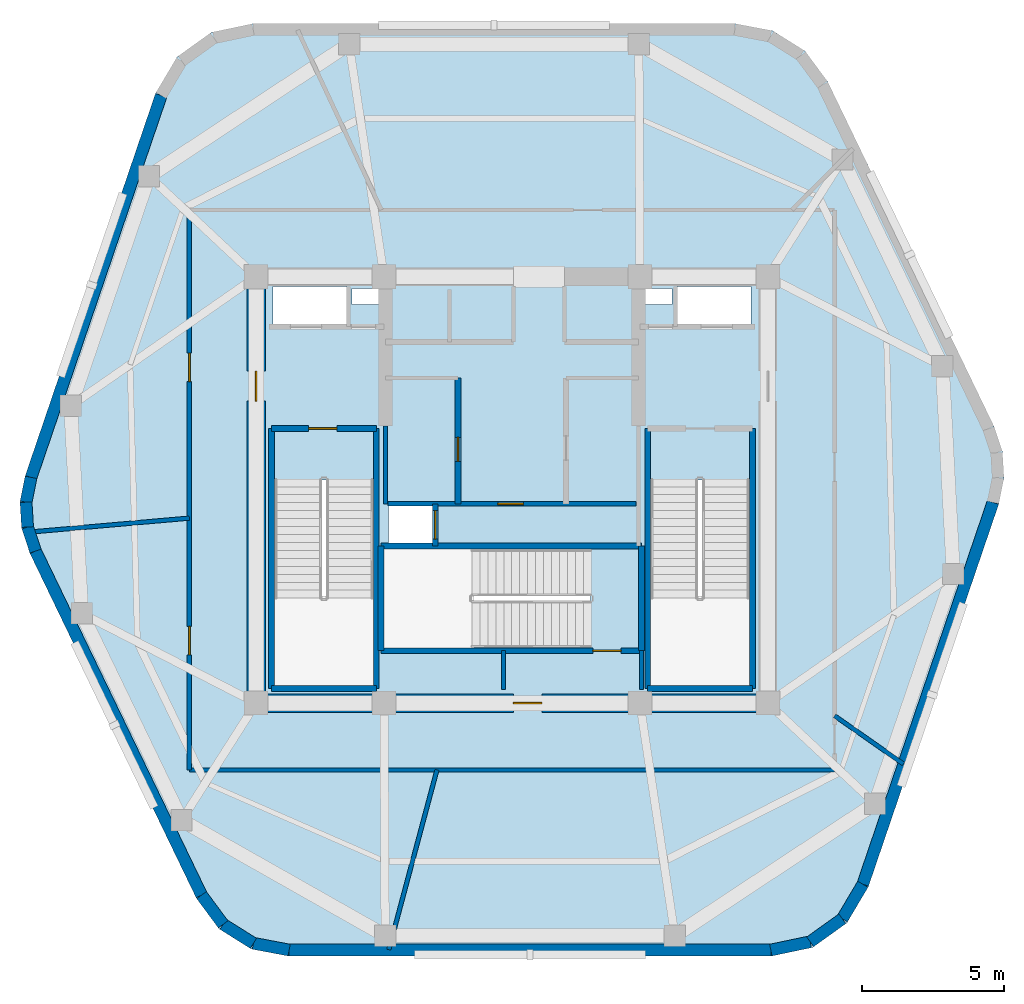
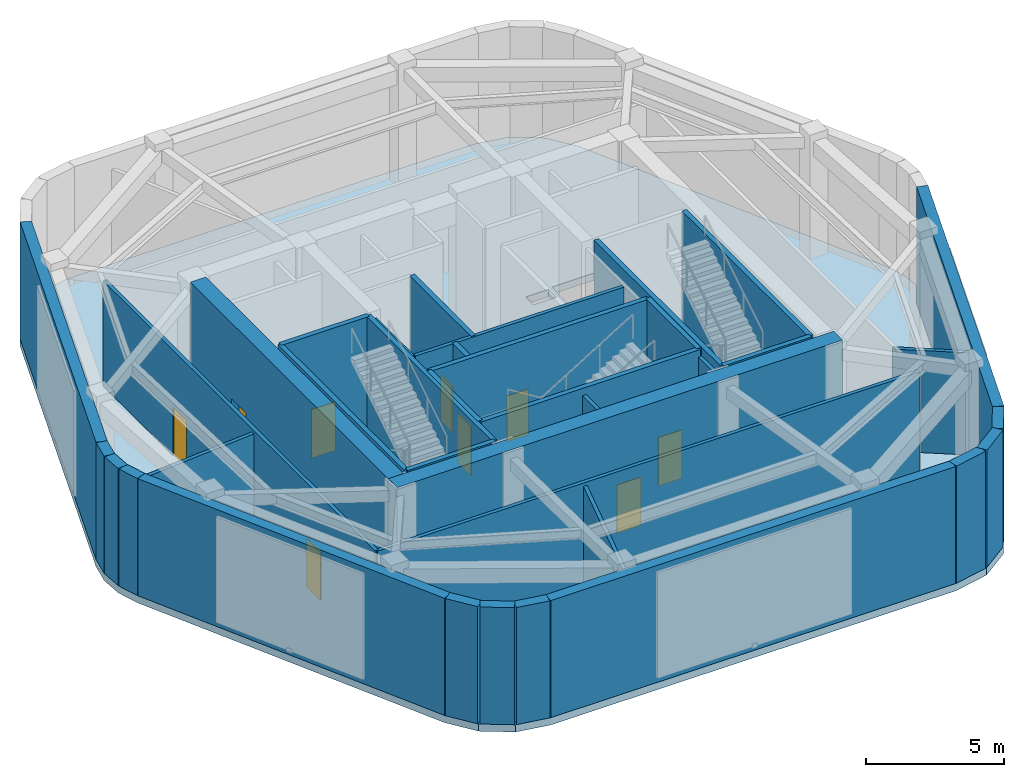
# One storey, part 2 of 6: 37 walls, 9 doors, 1 slab, 9 openings.
"""IFC4 building model written with IfcOpenShell, lengths in metres."""

from ifc_helpers import new_model, si_unit, direction, frame, frame_2d, origin, place, context, subcontext, project, spatial, polyline, rectangle, outline, extrude, material, layer, layer_set, type_object, element, fill, save


model = new_model("IFC4")

# Units and contexts
model_context = context("Model", 3, precision=1e-05, world=origin(), true_north=direction((0.0, 1.0)))
body_context = subcontext(model_context, "Body", "Model", "MODEL_VIEW")
ifc_project = project(units=[si_unit("LENGTHUNIT", "METRE"), si_unit("AREAUNIT", "SQUARE_METRE"), si_unit("VOLUMEUNIT", "CUBIC_METRE"), si_unit("PLANEANGLEUNIT", "RADIAN"), si_unit("MASSUNIT", "GRAM", prefix="KILO")], contexts=[model_context])

# Site, building, storey
site_placement = place(None, origin())
site = spatial("IfcSite", under=ifc_project, at=site_placement, CompositionType="ELEMENT")
building_placement = place(site_placement, origin())
building = spatial("IfcBuilding", under=site, at=building_placement, Name="Kilnhurst Terrace Hotel", CompositionType="ELEMENT")
storey_placement = place(building_placement, frame((0.0, 0.0, 310.39990234375)))
storey = spatial("IfcBuildingStorey", under=building, at=storey_placement, Name="L77", CompositionType="ELEMENT", Elevation=310.39990234375)

# Slab
ifc_material_1 = material(Name="Concrete C50/60", Category="concrete")
ifc_layer_1 = layer(ifc_material_1, 0.320068359375, Name="Concrete C50/60")
ifc_layer_set_1 = layer_set([ifc_layer_1], Name="Concrete C50/60")
slab_type = type_object("IfcSlabType", Name="SLB-FLR-320", PredefinedType="FLOOR", material=ifc_layer_set_1)
slab_placement = place(storey_placement, frame((0.0, 0.0, -0.31982421875)))
element("IfcSlab", 1, at=slab_placement, inside=storey, type_object=slab_type, Name="L77 Structural Floor Slab", PredefinedType="FLOOR", context=body_context, shape_type="SweptSolid", body=[
    extrude(outline(polyline([(-11.102294921875, -14.36474609375), (-10.30712890625, -15.4404296875), (-9.17431640625, -16.151611328125), (-7.860107421875, -16.39990234375), (9.12744140625, -16.39990234375), (10.576171875, -16.095703125), (11.77978515625, -15.234130859375), (12.53515625, -13.961181640625), (17.1240234375, -0.494873046875), (17.307861328125, 0.41796875), (17.25146484375, 1.34716796875), (16.95849609375, 2.231201171875), (11.102294921875, 14.36474609375), (10.30712890625, 15.4404296875), (9.17431640625, 16.151611328125), (7.860107421875, 16.39990234375), (-9.12744140625, 16.39990234375), (-10.576171875, 16.095703125), (-11.77978515625, 15.234130859375), (-12.53515625, 13.961181640625), (-17.1240234375, 0.494873046875), (-17.307861328125, -0.41796875), (-17.25146484375, -1.34716796875), (-16.95849609375, -2.231201171875), (-11.102294921875, -14.36474609375)]), holes=[polyline([(2.7548828125, -2.080078125), (2.7548828125, -5.550048828125), (-4.5, -5.550048828125), (-4.5, -2.080078125), (2.7548828125, -2.080078125)]), polyline([(-8.35009765625, 0.35498046875), (-4.8798828125, 0.35498046875), (-4.8798828125, -6.89990234375), (-8.35009765625, -6.89990234375), (-8.35009765625, 0.35498046875)]), polyline([(4.8798828125, 0.35498046875), (8.35009765625, 0.35498046875), (8.35009765625, -6.89990234375), (4.8798828125, -6.89990234375), (4.8798828125, 0.35498046875)]), polyline([(-2.800048828125, -1.89990234375), (-4.35009765625, -1.89990234375), (-4.35009765625, -0.550048828125), (-2.800048828125, -0.550048828125), (-2.800048828125, -1.89990234375)]), polyline([(-5.800048828125, 5.75), (-8.39990234375, 5.75), (-8.39990234375, 7.14990234375), (-5.800048828125, 7.14990234375), (-5.800048828125, 5.75)]), polyline([(8.39990234375, 5.75), (5.800048828125, 5.75), (5.800048828125, 7.14990234375), (8.39990234375, 7.14990234375), (8.39990234375, 5.75)]), polyline([(-4.659912109375, 6.52001953125), (-5.6201171875, 6.52001953125), (-5.6201171875, 7.080078125), (-4.659912109375, 7.080078125), (-4.659912109375, 6.52001953125)]), polyline([(5.6201171875, 6.52001953125), (4.659912109375, 6.52001953125), (4.659912109375, 7.080078125), (5.6201171875, 7.080078125), (5.6201171875, 6.52001953125)])]), origin(), (0.0, 0.0, 1.0), 0.31982421875),
])

# Wall, openings, doors
ifc_material_2 = material(Name="Acoustic Double-Gypsum Corridor Partition Assembly")
ifc_layer_2 = layer(ifc_material_2, 0.14990234375, Name="Acoustic Double-Gypsum Corridor Partition Assembly")
ifc_layer_set_2 = layer_set([ifc_layer_2], Name="Acoustic Double-Gypsum Corridor Partition Assembly")
wall_type_1 = type_object("IfcWallType", Name="WL-COR-150", PredefinedType="PARTITIONING", material=ifc_layer_set_2)
wall_1_placement = place(storey_placement, frame((-11.35009765625, -9.85009765625, 0.0), z_axis=(0.0, 0.0, 1.0), x_axis=(0.0, 1.0, 0.0)))
wall_1 = element("IfcWall", 2, at=wall_1_placement, inside=storey, type_object=wall_type_1, Name="L77 Interior Wall WL-L77-COR-01", PredefinedType="PARTITIONING", context=body_context, shape_type="SweptSolid", body=[
    extrude(rectangle(XDim=19.7001953125, YDim=0.14990234375, at=frame_2d((9.85009765625, 0.0))), origin(), (0.0, 0.0, 1.0), 4.670166015625),
])
opening_1_placement = place(wall_1_placement, frame((13.657958984375, 0.0, 0.0)))
opening_1 = element("IfcOpeningElement", 3, at=opening_1_placement, cuts=wall_1, Name="Opening D-90B", PredefinedType="OPENING", context=body_context, shape_type="SweptSolid", body=[
    extrude(rectangle(XDim=1.0, YDim=2.14990234375, at=frame_2d((0.5, 1.074951171875))), frame((0.0, 0.0849609375, 0.0), z_axis=(0.0, -1.0, 0.0), x_axis=(1.0, 0.0, 0.0)), (0.0, 0.0, 1.0), 0.169921875),
])
opening_2_placement = place(wall_1_placement, frame((4.048095703125, 0.0, 0.0)))
opening_2 = element("IfcOpeningElement", 4, at=opening_2_placement, cuts=wall_1, Name="Opening D-90B", PredefinedType="OPENING", context=body_context, shape_type="SweptSolid", body=[
    extrude(rectangle(XDim=1.0, YDim=2.14990234375, at=frame_2d((0.5, 1.074951171875))), frame((0.0, 0.0849609375, 0.0), z_axis=(0.0, -1.0, 0.0), x_axis=(1.0, 0.0, 0.0)), (0.0, 0.0, 1.0), 0.169921875),
])
ifc_material_3 = material(Name="Painted Hollow Metal Steel ASTM A36 Fire Door", Category="steel")
door_type_1 = type_object("IfcDoorType", Name="DR-FD90-1000", OperationType="NOTDEFINED", PredefinedType="DOOR", material=ifc_material_3)
door_1_placement = place(opening_1_placement, origin())
door_1 = element("IfcDoor", 5, at=door_1_placement, inside=storey, type_object=door_type_1, Name="L77 Air Handling and Smoke Control Mechanical Room Door", OperationType="SINGLE_SWING_RIGHT", OverallHeight=2.14990234375, OverallWidth=1.0, PredefinedType="DOOR", context=body_context, shape_type="SweptSolid", body=[
    extrude(rectangle(XDim=1.0, YDim=2.14990234375, at=frame_2d((0.5, 1.074951171875))), frame((0.0, 0.02490234375, 0.0), z_axis=(0.0, -1.0, 0.0), x_axis=(1.0, 0.0, 0.0)), (0.0, 0.0, 1.0), 0.050048828125),
])
fill(opening_1, door_1)
door_2_placement = place(opening_2_placement, origin())
door_2 = element("IfcDoor", 6, at=door_2_placement, inside=storey, type_object=door_type_1, Name="L77 Domestic Water Booster and Fire Pump Room Door", OperationType="SINGLE_SWING_LEFT", OverallHeight=2.14990234375, OverallWidth=1.0, PredefinedType="DOOR", context=body_context, shape_type="SweptSolid", body=[
    extrude(rectangle(XDim=1.0, YDim=2.14990234375, at=frame_2d((0.5, 1.074951171875))), frame((0.0, 0.02490234375, 0.0), z_axis=(0.0, -1.0, 0.0), x_axis=(1.0, 0.0, 0.0)), (0.0, 0.0, 1.0), 0.050048828125),
])
fill(opening_2, door_2)

# Walls
wall_2_placement = place(storey_placement, frame((11.35009765625, -9.85009765625, 0.0), z_axis=(0.0, 0.0, 1.0), x_axis=(-1.0, 0.0, 0.0)))
element("IfcWall", 7, at=wall_2_placement, inside=storey, type_object=wall_type_1, Name="L77 Interior Wall WL-L77-COR-04", PredefinedType="PARTITIONING", context=body_context, shape_type="SweptSolid", body=[
    extrude(rectangle(XDim=22.7001953125, YDim=0.14990234375, at=frame_2d((11.35009765625, 0.0))), origin(), (0.0, 0.0, 1.0), 4.670166015625),
])
wall_3_placement = place(storey_placement, frame((-11.35009765625, -0.992919921875, 0.0), z_axis=(0.0, 0.0, 1.0), x_axis=(-0.996191883408, -0.087187908746, 0.0)))
element("IfcWall", 8, at=wall_3_placement, inside=storey, type_object=wall_type_1, Name="L77 Interior Wall WL-L77-PDIV-3-1", PredefinedType="PARTITIONING", context=body_context, shape_type="SweptSolid", body=[
    extrude(rectangle(XDim=5.4912109375, YDim=0.14990234375, at=frame_2d((2.74560546875, 0.0))), origin(), (0.0, 0.0, 1.0), 4.52001953125),
])
wall_4_placement = place(storey_placement, frame((-2.639404296875, -9.85009765625, 0.0), z_axis=(0.0, 0.0, 1.0), x_axis=(-0.258792616312, -0.965932907475, 0.0)))
element("IfcWall", 9, at=wall_4_placement, inside=storey, type_object=wall_type_1, Name="L77 Interior Wall WL-L77-PDIV-4-1", PredefinedType="PARTITIONING", context=body_context, shape_type="SweptSolid", body=[
    extrude(rectangle(XDim=6.548095703125, YDim=0.14990234375, at=frame_2d((3.27392578125, 0.0))), origin(), (0.0, 0.0, 1.0), 4.52001953125),
])
wall_5_placement = place(storey_placement, frame((11.35009765625, -7.947509765625, 0.0), z_axis=(0.0, 0.0, 1.0), x_axis=(0.819127049933, -0.573612130335, 0.0)))
element("IfcWall", 10, at=wall_5_placement, inside=storey, type_object=wall_type_1, Name="L77 Interior Wall WL-L77-PDIV-5-1", PredefinedType="PARTITIONING", context=body_context, shape_type="SweptSolid", body=[
    extrude(rectangle(XDim=2.953369140625, YDim=0.14990234375, at=frame_2d((1.4765625, 0.0))), origin(), (0.0, 0.0, 1.0), 4.52001953125),
])

# Wall, opening, door
ifc_material_4 = material(Name="Concrete C60/75", Category="concrete")
ifc_layer_3 = layer(ifc_material_4, 0.64990234375, Name="Concrete C60/75")
ifc_layer_set_3 = layer_set([ifc_layer_3], Name="Concrete C60/75")
wall_type_2 = type_object("IfcWallType", Name="WL-CORE-650", PredefinedType="SHEAR", material=ifc_layer_set_3)
wall_6_placement = place(storey_placement, frame((-9.324951171875, -7.5, 0.0), z_axis=(0.0, 0.0, 1.0), x_axis=(1.0, 0.0, 0.0)))
wall_6 = element("IfcWall", 11, at=wall_6_placement, inside=storey, type_object=wall_type_2, Name="L77 Core South Shear Wall", PredefinedType="SHEAR", context=body_context, shape_type="SweptSolid", body=[
    extrude(rectangle(XDim=18.64990234375, YDim=0.64990234375, at=frame_2d((9.324951171875, 0.0))), origin(), (0.0, 0.0, 1.0), 5.5),
])
opening_3_placement = place(wall_6_placement, frame((9.375, 0.0, 0.0)))
opening_3 = element("IfcOpeningElement", 12, at=opening_3_placement, cuts=wall_6, Name="Opening D-90B", PredefinedType="OPENING", context=body_context, shape_type="SweptSolid", body=[
    extrude(rectangle(XDim=1.0, YDim=2.14990234375, at=frame_2d((0.5, 1.074951171875))), frame((0.0, 0.3349609375, 0.0), z_axis=(0.0, -1.0, 0.0), x_axis=(1.0, 0.0, 0.0)), (0.0, 0.0, 1.0), 0.669921875),
])
door_3_placement = place(opening_3_placement, origin())
door_3 = element("IfcDoor", 13, at=door_3_placement, inside=storey, type_object=door_type_1, Name="L77 Stair ST-3 Corridor Door", OperationType="SINGLE_SWING_RIGHT", OverallHeight=2.14990234375, OverallWidth=1.0, PredefinedType="DOOR", context=body_context, shape_type="SweptSolid", body=[
    extrude(rectangle(XDim=1.0, YDim=2.14990234375, at=frame_2d((0.5, 1.074951171875))), frame((0.0, 0.02490234375, 0.0), z_axis=(0.0, -1.0, 0.0), x_axis=(1.0, 0.0, 0.0)), (0.0, 0.0, 1.0), 0.050048828125),
])
fill(opening_3, door_3)

wall_7_placement = place(storey_placement, frame((-9.0, -7.175048828125, 0.0), z_axis=(0.0, 0.0, 1.0), x_axis=(0.0, 1.0, 0.0)))
wall_7 = element("IfcWall", 14, at=wall_7_placement, inside=storey, type_object=wall_type_2, Name="L77 Core West Shear Wall", PredefinedType="SHEAR", context=body_context, shape_type="SweptSolid", body=[
    extrude(rectangle(XDim=14.35009765625, YDim=0.64990234375, at=frame_2d((7.175048828125, 0.0))), origin(), (0.0, 0.0, 1.0), 5.5),
])
opening_4_placement = place(wall_7_placement, frame((10.300048828125, 0.0, 0.0)))
opening_4 = element("IfcOpeningElement", 15, at=opening_4_placement, cuts=wall_7, Name="Opening D-90A", PredefinedType="OPENING", context=body_context, shape_type="SweptSolid", body=[
    extrude(rectangle(XDim=1.050048828125, YDim=2.14990234375, at=frame_2d((0.52490234375, 1.074951171875))), frame((0.0, 0.3349609375, 0.0), z_axis=(0.0, -1.0, 0.0), x_axis=(1.0, 0.0, 0.0)), (0.0, 0.0, 1.0), 0.669921875),
])
door_type_2 = type_object("IfcDoorType", Name="DR-FD90-1050", OperationType="NOTDEFINED", PredefinedType="DOOR", material=ifc_material_3)
door_4_placement = place(opening_4_placement, origin())
door_4 = element("IfcDoor", 16, at=door_4_placement, inside=storey, type_object=door_type_2, Name="L77 West Firefighting Lobby Door", OperationType="SINGLE_SWING_RIGHT", OverallHeight=2.14990234375, OverallWidth=1.050048828125, PredefinedType="DOOR", context=body_context, shape_type="SweptSolid", body=[
    extrude(rectangle(XDim=1.050048828125, YDim=2.14990234375, at=frame_2d((0.52490234375, 1.074951171875))), frame((0.0, 0.02490234375, 0.0), z_axis=(0.0, -1.0, 0.0), x_axis=(1.0, 0.0, 0.0)), (0.0, 0.0, 1.0), 0.050048828125),
])
fill(opening_4, door_4)

# Walls
ifc_material_5 = material(Name="Precast concrete C40/50", Category="concrete")
ifc_layer_4 = layer(ifc_material_5, 0.419921875, Name="Precast concrete C40/50")
ifc_layer_set_4 = layer_set([ifc_layer_4], Name="Precast concrete C40/50")
wall_type_3 = type_object("IfcWallType", Name="WL-CRN-420", PredefinedType="SOLIDWALL", material=ifc_layer_set_4)
wall_8_placement = place(storey_placement, frame((-10.921630859375, -14.255859375, 0.0), z_axis=(0.0, 0.0, 1.0), x_axis=(0.594423284796, -0.804152322941, 0.0)))
element("IfcWall", 17, at=wall_8_placement, inside=storey, type_object=wall_type_3, Name="L77 Rounded Corner Brick Wall C1.1", PredefinedType="SOLIDWALL", context=body_context, shape_type="SweptSolid", body=[
    extrude(rectangle(XDim=1.278076171875, YDim=0.419921875, at=frame_2d((0.63916015625, 0.0))), origin(), (0.0, 0.0, 1.0), 5.18017578125),
])
wall_9_placement = place(storey_placement, frame((-10.161865234375, -15.28369140625, 0.0), z_axis=(0.0, 0.0, 1.0), x_axis=(0.846993641169, -0.53160302089, 0.0)))
element("IfcWall", 18, at=wall_9_placement, inside=storey, type_object=wall_type_3, Name="L77 Rounded Corner Brick Wall C1.2", PredefinedType="SOLIDWALL", context=body_context, shape_type="SweptSolid", body=[
    extrude(rectangle(XDim=1.2578125, YDim=0.419921875, at=frame_2d((0.62890625, 0.0))), origin(), (0.0, 0.0, 1.0), 5.18017578125),
])
wall_10_placement = place(storey_placement, frame((-9.096435546875, -15.952392578125, 0.0), z_axis=(0.0, 0.0, 1.0), x_axis=(0.982583442004, -0.185821902637, 0.0)))
element("IfcWall", 19, at=wall_10_placement, inside=storey, type_object=wall_type_3, Name="L77 Rounded Corner Brick Wall C1.3", PredefinedType="SOLIDWALL", context=body_context, shape_type="SweptSolid", body=[
    extrude(rectangle(XDim=1.2783203125, YDim=0.419921875, at=frame_2d((0.63916015625, 0.0))), origin(), (0.0, 0.0, 1.0), 5.18017578125),
])
wall_11_placement = place(storey_placement, frame((9.105712890625, -16.18994140625, 0.0), z_axis=(0.0, 0.0, 1.0), x_axis=(0.978670507127, 0.205436215114, 0.0)))
element("IfcWall", 20, at=wall_11_placement, inside=storey, type_object=wall_type_3, Name="L77 Rounded Corner Brick Wall C2.1", PredefinedType="SOLIDWALL", context=body_context, shape_type="SweptSolid", body=[
    extrude(rectangle(XDim=1.414306640625, YDim=0.419921875, at=frame_2d((0.70703125, 0.0))), origin(), (0.0, 0.0, 1.0), 5.18017578125),
])
wall_12_placement = place(storey_placement, frame((10.48974609375, -15.8994140625, 0.0), z_axis=(0.0, 0.0, 1.0), x_axis=(0.813104912719, 0.58211717112, 0.0)))
element("IfcWall", 21, at=wall_12_placement, inside=storey, type_object=wall_type_3, Name="L77 Rounded Corner Brick Wall C2.2", PredefinedType="SOLIDWALL", context=body_context, shape_type="SweptSolid", body=[
    extrude(rectangle(XDim=1.39208984375, YDim=0.419921875, at=frame_2d((0.696044921875, 0.0))), origin(), (0.0, 0.0, 1.0), 5.18017578125),
])
wall_13_placement = place(storey_placement, frame((11.62158203125, -15.089111328125, 0.0), z_axis=(0.0, 0.0, 1.0), x_axis=(0.510403153597, 0.859935242212, 0.0)))
element("IfcWall", 22, at=wall_13_placement, inside=storey, type_object=wall_type_3, Name="L77 Rounded Corner Brick Wall C2.3", PredefinedType="SOLIDWALL", context=body_context, shape_type="SweptSolid", body=[
    extrude(rectangle(XDim=1.414306640625, YDim=0.419921875, at=frame_2d((0.70703125, 0.0))), origin(), (0.0, 0.0, 1.0), 5.18017578125),
])
wall_14_placement = place(storey_placement, frame((-16.9208984375, 0.440185546875, 0.0), z_axis=(0.0, 0.0, 1.0), x_axis=(-0.197170749138, -0.980369162961, 0.0)))
element("IfcWall", 23, at=wall_14_placement, inside=storey, type_object=wall_type_3, Name="L77 Rounded Corner Brick Wall C6.1", PredefinedType="SOLIDWALL", context=body_context, shape_type="SweptSolid", body=[
    extrude(rectangle(XDim=0.890380859375, YDim=0.419921875, at=frame_2d((0.4453125, 0.0))), origin(), (0.0, 0.0, 1.0), 5.18017578125),
])
wall_15_placement = place(storey_placement, frame((-17.096435546875, -0.4326171875, 0.0), z_axis=(0.0, 0.0, 1.0), x_axis=(0.060469820114, -0.998170026025, 0.0)))
element("IfcWall", 24, at=wall_15_placement, inside=storey, type_object=wall_type_3, Name="L77 Rounded Corner Brick Wall C6.2", PredefinedType="SOLIDWALL", context=body_context, shape_type="SweptSolid", body=[
    extrude(rectangle(XDim=0.876220703125, YDim=0.419921875, at=frame_2d((0.43798828125, 0.0))), origin(), (0.0, 0.0, 1.0), 5.18017578125),
])
wall_16_placement = place(storey_placement, frame((-17.04345703125, -1.30712890625, 0.0), z_axis=(0.0, 0.0, 1.0), x_axis=(0.314581701602, -0.949230400386, 0.0)))
element("IfcWall", 25, at=wall_16_placement, inside=storey, type_object=wall_type_3, Name="L77 Rounded Corner Brick Wall C6.3", PredefinedType="SOLIDWALL", context=body_context, shape_type="SweptSolid", body=[
    extrude(rectangle(XDim=0.89013671875, YDim=0.419921875, at=frame_2d((0.445068359375, 0.0))), origin(), (0.0, 0.0, 1.0), 5.18017578125),
])
wall_17_placement = place(storey_placement, frame((-7.84033203125, -16.18994140625, 0.0), z_axis=(0.0, 0.0, 1.0), x_axis=(1.0, 0.0, 0.0)))
element("IfcWall", 26, at=wall_17_placement, inside=storey, type_object=wall_type_3, Name="L77 Exterior Brick Facade Wall F1", PredefinedType="SOLIDWALL", context=body_context, shape_type="SweptSolid", body=[
    extrude(rectangle(XDim=16.946044921875, YDim=0.419921875, at=frame_2d((8.47314453125, 0.0))), origin(), (0.0, 0.0, 1.0), 5.18017578125),
])
for number, where, z_axis, x_axis, name in (
    (27, (12.343505859375, -13.872802734375, 0.0), (0.0, 0.0, 1.0), (0.322553427155, 0.946551259378, 0.0), "L77 Exterior Brick Facade Wall F2"),
    (28, (-12.343505859375, 13.872802734375, 0.0), (0.0, 0.0, 1.0), (-0.322553427155, -0.946551259378, 0.0), "L77 Exterior Brick Facade Wall F5"),
):
    element("IfcWall", number, at=place(storey_placement, frame(where, z_axis=z_axis, x_axis=x_axis)), inside=storey, type_object=wall_type_3, Name=name, PredefinedType="SOLIDWALL", context=body_context, shape_type="SweptSolid", body=[
        extrude(rectangle(XDim=14.191162109375, YDim=0.419921875, at=frame_2d((7.095703125, 0.0))), origin(), (0.0, 0.0, 1.0), 5.18017578125),
    ])
wall_18_placement = place(storey_placement, frame((-16.763427734375, -2.152099609375, 0.0), z_axis=(0.0, 0.0, 1.0), x_axis=(0.434664735238, -0.900592342817, 0.0)))
element("IfcWall", 29, at=wall_18_placement, inside=storey, type_object=wall_type_3, Name="L77 Exterior Brick Facade Wall F6", PredefinedType="SOLIDWALL", context=body_context, shape_type="SweptSolid", body=[
    extrude(rectangle(XDim=13.439697265625, YDim=0.419921875, at=frame_2d((6.7197265625, 0.0))), origin(), (0.0, 0.0, 1.0), 5.18017578125),
])
ifc_material_6 = material(Name="Fire-Rated Gypsum Shaftliner Assembly")
ifc_layer_5 = layer(ifc_material_6, 0.14990234375, Name="Fire-Rated Gypsum Shaftliner Assembly")
ifc_layer_set_5 = layer_set([ifc_layer_5], Name="Fire-Rated Gypsum Shaftliner Assembly")
wall_type_4 = type_object("IfcWallType", Name="WL-SHAFT-150", PredefinedType="PARTITIONING", material=ifc_layer_set_5)
for number, where, z_axis, x_axis, name in (
    (30, (-0.300048828125, -7.02001953125, 0.0), (0.0, 0.0, 1.0), (0.0, 1.0, 0.0), "L77 Interior Wall WL-L77-ST3-PSGW"),
    (31, (4.55810546875, -7.02001953125, 0.0), (0.0, 0.0, 1.0), (0.0, 1.0, 0.0), "L77 Interior Wall WL-L77-ST3-PSGE"),
):
    element("IfcWall", number, at=place(storey_placement, frame(where, z_axis=z_axis, x_axis=x_axis)), inside=storey, type_object=wall_type_4, Name=name, PredefinedType="PARTITIONING", context=body_context, shape_type="SweptSolid", body=[
        extrude(rectangle(XDim=1.362060546875, YDim=0.14990234375, at=frame_2d((0.68115234375, 0.0))), origin(), (0.0, 0.0, 1.0), 5.18017578125),
    ])
wall_19_placement = place(storey_placement, frame((-4.449951171875, -0.5, 0.0), z_axis=(0.0, 0.0, 1.0), x_axis=(0.0, 1.0, 0.0)))
element("IfcWall", 32, at=wall_19_placement, inside=storey, type_object=wall_type_4, Name="L77 Interior Wall WL-L77-XLOB-W", PredefinedType="PARTITIONING", context=body_context, shape_type="SweptSolid", body=[
    extrude(rectangle(XDim=2.75, YDim=0.14990234375, at=frame_2d((1.375, 0.0))), origin(), (0.0, 0.0, 1.0), 5.18017578125),
])

# Wall, opening, door
wall_20_placement = place(storey_placement, frame((-4.360107421875, -0.489990234375, 0.0), z_axis=(0.0, 0.0, 1.0), x_axis=(1.0, 0.0, 0.0)))
wall_20 = element("IfcWall", 33, at=wall_20_placement, inside=storey, type_object=wall_type_4, Name="L77 Interior Wall WL-L77-BOH-N", PredefinedType="PARTITIONING", context=body_context, shape_type="SweptSolid", body=[
    extrude(rectangle(XDim=8.72021484375, YDim=0.14990234375, at=frame_2d((4.360107421875, 0.0))), origin(), (0.0, 0.0, 1.0), 5.18017578125),
])
opening_5_placement = place(wall_20_placement, frame((3.860107421875, 0.0, 0.0)))
opening_5 = element("IfcOpeningElement", 34, at=opening_5_placement, cuts=wall_20, Name="Opening D-60C", PredefinedType="OPENING", context=body_context, shape_type="SweptSolid", body=[
    extrude(rectangle(XDim=0.89990234375, YDim=2.030029296875, at=frame_2d((0.449951171875, 1.01513671875))), frame((0.0, 0.0849609375, 0.0), z_axis=(0.0, -1.0, 0.0), x_axis=(1.0, 0.0, 0.0)), (0.0, 0.0, 1.0), 0.169921875),
])
ifc_material_7 = material(Name="Painted Solid-Core Service Fire Door")
door_type_3 = type_object("IfcDoorType", Name="DR-FD60-900", OperationType="NOTDEFINED", PredefinedType="DOOR", material=ifc_material_7)
door_5_placement = place(opening_5_placement, origin())
door_5 = element("IfcDoor", 35, at=door_5_placement, inside=storey, type_object=door_type_3, Name="L77 Housekeeping Laundry Door", OperationType="SINGLE_SWING_LEFT", OverallHeight=2.030029296875, OverallWidth=0.89990234375, PredefinedType="DOOR", context=body_context, shape_type="SweptSolid", body=[
    extrude(rectangle(XDim=0.89990234375, YDim=2.030029296875, at=frame_2d((0.449951171875, 1.01513671875))), frame((0.0, 0.02490234375, 0.0), z_axis=(0.0, -1.0, 0.0), x_axis=(1.0, 0.0, 0.0)), (0.0, 0.0, 1.0), 0.050048828125),
])
fill(opening_5, door_5)

ifc_material_8 = material(Name="Autoclaved Aerated Concrete C30/37 and Gypsum Shaft Assembly", Category="concrete")
ifc_layer_6 = layer(ifc_material_8, 0.199951171875, Name="Autoclaved Aerated Concrete C30/37 and Gypsum Shaft Assembly")
ifc_layer_set_6 = layer_set([ifc_layer_6], Name="Autoclaved Aerated Concrete C30/37 and Gypsum Shaft Assembly")
wall_type_5 = type_object("IfcWallType", Name="WL-SHAFT-200", PredefinedType="PARTITIONING", material=ifc_layer_set_6)
wall_21_placement = place(storey_placement, frame((-2.699951171875, -1.971923828125, 0.0), z_axis=(0.0, 0.0, 1.0), x_axis=(0.0, 1.0, 0.0)))
wall_21 = element("IfcWall", 36, at=wall_21_placement, inside=storey, type_object=wall_type_5, Name="L77 Interior Wall WL-L77-SRV1-E", PredefinedType="PARTITIONING", context=body_context, shape_type="SweptSolid", body=[
    extrude(rectangle(XDim=1.471923828125, YDim=0.199951171875, at=frame_2d((0.73583984375, 0.0))), origin(), (0.0, 0.0, 1.0), 5.18017578125),
])
opening_6_placement = place(wall_21_placement, frame((0.239990234375, 0.0, 0.0)))
opening_6 = element("IfcOpeningElement", 37, at=opening_6_placement, cuts=wall_21, Name="Opening LD-SV", PredefinedType="OPENING", context=body_context, shape_type="SweptSolid", body=[
    extrude(rectangle(XDim=1.0, YDim=2.199951171875, at=frame_2d((0.5, 1.10009765625))), frame((0.0, 0.10986328125, 0.0), z_axis=(0.0, -1.0, 0.0), x_axis=(1.0, 0.0, 0.0)), (0.0, 0.0, 1.0), 0.219970703125),
])
ifc_material_9 = material(Name="Bronze-Anodized Stainless Steel AISI 316L Sliding Door", Category="steel")
door_type_4 = type_object("IfcDoorType", Name="DR-LIFT-1000", OperationType="NOTDEFINED", PredefinedType="DOOR", material=ifc_material_9)
door_6_placement = place(opening_6_placement, origin())
door_6 = element("IfcDoor", 38, at=door_6_placement, inside=storey, type_object=door_type_4, Name="L77 Service Lift SRV-1 Landing Door", OperationType="SLIDING_TO_LEFT", OverallHeight=2.199951171875, OverallWidth=1.0, PredefinedType="DOOR", context=body_context, shape_type="SweptSolid", body=[
    extrude(rectangle(XDim=1.0, YDim=2.199951171875, at=frame_2d((0.5, 1.10009765625))), frame((0.0, 0.02490234375, 0.0), z_axis=(0.0, -1.0, 0.0), x_axis=(1.0, 0.0, 0.0)), (0.0, 0.0, 1.0), 0.050048828125),
])
fill(opening_6, door_6)

wall_22_placement = place(storey_placement, frame((-1.89990234375, -0.5, 0.0), z_axis=(0.0, 0.0, 1.0), x_axis=(0.0, 1.0, 0.0)))
wall_22 = element("IfcWall", 39, at=wall_22_placement, inside=storey, type_object=wall_type_5, Name="L77 Interior Wall WL-L77-LR-FRONT", PredefinedType="PARTITIONING", context=body_context, shape_type="SweptSolid", body=[
    extrude(rectangle(XDim=4.43994140625, YDim=0.199951171875, at=frame_2d((2.219970703125, 0.0))), origin(), (0.0, 0.0, 1.0), 5.18017578125),
])
opening_7_placement = place(wall_22_placement, frame((1.5, 0.0, 0.0)))
opening_7 = element("IfcOpeningElement", 40, at=opening_7_placement, cuts=wall_22, Name="Opening D-60D", PredefinedType="OPENING", context=body_context, shape_type="SweptSolid", body=[
    extrude(rectangle(XDim=0.85009765625, YDim=2.030029296875, at=frame_2d((0.425048828125, 1.01513671875))), frame((0.0, 0.10986328125, 0.0), z_axis=(0.0, -1.0, 0.0), x_axis=(1.0, 0.0, 0.0)), (0.0, 0.0, 1.0), 0.219970703125),
])
ifc_material_10 = material(Name="Painted Hollow Metal Steel ASTM A36 Riser Door", Category="steel")
door_type_5 = type_object("IfcDoorType", Name="DR-FD60-850", OperationType="NOTDEFINED", PredefinedType="DOOR", material=ifc_material_10)
door_7_placement = place(opening_7_placement, origin())
door_7 = element("IfcDoor", 41, at=door_7_placement, inside=storey, type_object=door_type_5, Name="L77 Reclaimed Linen Room Door", OperationType="SINGLE_SWING_LEFT", OverallHeight=2.030029296875, OverallWidth=0.85009765625, PredefinedType="DOOR", context=body_context, shape_type="SweptSolid", body=[
    extrude(rectangle(XDim=0.85009765625, YDim=2.030029296875, at=frame_2d((0.425048828125, 1.01513671875))), frame((0.0, 0.02490234375, 0.0), z_axis=(0.0, -1.0, 0.0), x_axis=(1.0, 0.0, 0.0)), (0.0, 0.0, 1.0), 0.050048828125),
])
fill(opening_7, door_7)

# Walls
ifc_layer_7 = layer(ifc_material_1, 0.199951171875, Name="Concrete C50/60")
ifc_layer_set_7 = layer_set([ifc_layer_7], Name="Concrete C50/60")
wall_type_6 = type_object("IfcWallType", Name="WL-STAIR-RC-200", PredefinedType="SHEAR", material=ifc_layer_set_7)
for number, where, z_axis, x_axis, name in (
    (42, (-8.4580078125, -6.985107421875, 0.0), (0.0, 0.0, 1.0), (0.0, 1.0, 0.0), "L77 Structural Stair Shaft Wall WL-L77-ST1-W"),
    (43, (-4.77197265625, -6.985107421875, 0.0), (0.0, 0.0, 1.0), (0.0, 1.0, 0.0), "L77 Structural Stair Shaft Wall WL-L77-ST1-E"),
):
    element("IfcWall", number, at=place(storey_placement, frame(where, z_axis=z_axis, x_axis=x_axis)), inside=storey, type_object=wall_type_6, Name=name, PredefinedType="SHEAR", context=body_context, shape_type="SweptSolid", body=[
        extrude(rectangle(XDim=9.14306640625, YDim=0.199951171875, at=frame_2d((4.571533203125, 0.0))), origin(), (0.0, 0.0, 1.0), 5.5),
    ])
wall_23_placement = place(storey_placement, frame((-8.4580078125, -6.985107421875, 0.0), z_axis=(0.0, 0.0, 1.0), x_axis=(1.0, 0.0, 0.0)))
element("IfcWall", 44, at=wall_23_placement, inside=storey, type_object=wall_type_6, Name="L77 Structural Stair Shaft Wall WL-L77-ST1-S", PredefinedType="SHEAR", context=body_context, shape_type="SweptSolid", body=[
    extrude(rectangle(XDim=3.68603515625, YDim=0.199951171875, at=frame_2d((1.843017578125, 0.0))), origin(), (0.0, 0.0, 1.0), 5.5),
])

# Wall, opening, door
wall_24_placement = place(storey_placement, frame((-8.4580078125, 2.157958984375, 0.0), z_axis=(0.0, 0.0, 1.0), x_axis=(1.0, 0.0, 0.0)))
wall_24 = element("IfcWall", 45, at=wall_24_placement, inside=storey, type_object=wall_type_6, Name="L77 Structural Stair Shaft Wall WL-L77-ST1-N", PredefinedType="SHEAR", context=body_context, shape_type="SweptSolid", body=[
    extrude(rectangle(XDim=3.68603515625, YDim=0.199951171875, at=frame_2d((1.843017578125, 0.0))), origin(), (0.0, 0.0, 1.0), 5.5),
])
opening_8_placement = place(wall_24_placement, frame((1.300048828125, 0.0, 0.0)))
opening_8 = element("IfcOpeningElement", 46, at=opening_8_placement, cuts=wall_24, Name="Opening D-90B", PredefinedType="OPENING", context=body_context, shape_type="SweptSolid", body=[
    extrude(rectangle(XDim=1.0, YDim=2.14990234375, at=frame_2d((0.5, 1.074951171875))), frame((0.0, 0.10986328125, 0.0), z_axis=(0.0, -1.0, 0.0), x_axis=(1.0, 0.0, 0.0)), (0.0, 0.0, 1.0), 0.219970703125),
])
door_8_placement = place(opening_8_placement, origin())
door_8 = element("IfcDoor", 47, at=door_8_placement, inside=storey, type_object=door_type_1, Name="L77 Stair ST-1 Door", OperationType="SINGLE_SWING_LEFT", OverallHeight=2.14990234375, OverallWidth=1.0, PredefinedType="DOOR", context=body_context, shape_type="SweptSolid", body=[
    extrude(rectangle(XDim=1.0, YDim=2.14990234375, at=frame_2d((0.5, 1.074951171875))), frame((0.0, 0.02490234375, 0.0), z_axis=(0.0, -1.0, 0.0), x_axis=(1.0, 0.0, 0.0)), (0.0, 0.0, 1.0), 0.050048828125),
])
fill(opening_8, door_8)

# Walls
for number, where, z_axis, x_axis, name in (
    (48, (4.77197265625, -6.985107421875, 0.0), (0.0, 0.0, 1.0), (0.0, 1.0, 0.0), "L77 Structural Stair Shaft Wall WL-L77-ST2-W"),
    (49, (8.4580078125, -6.985107421875, 0.0), (0.0, 0.0, 1.0), (0.0, 1.0, 0.0), "L77 Structural Stair Shaft Wall WL-L77-ST2-E"),
):
    element("IfcWall", number, at=place(storey_placement, frame(where, z_axis=z_axis, x_axis=x_axis)), inside=storey, type_object=wall_type_6, Name=name, PredefinedType="SHEAR", context=body_context, shape_type="SweptSolid", body=[
        extrude(rectangle(XDim=9.14306640625, YDim=0.199951171875, at=frame_2d((4.571533203125, 0.0))), origin(), (0.0, 0.0, 1.0), 5.5),
    ])
for number, where, z_axis, x_axis, name in (
    (50, (4.77197265625, -6.985107421875, 0.0), (0.0, 0.0, 1.0), (1.0, 0.0, 0.0), "L77 Structural Stair Shaft Wall WL-L77-ST2-S"),
    (51, (-4.60791015625, -5.657958984375, 0.0), (0.0, 0.0, 1.0), (0.0, 1.0, 0.0), "L77 Structural Stair Shaft Wall WL-L77-ST3-W"),
):
    element("IfcWall", number, at=place(storey_placement, frame(where, z_axis=z_axis, x_axis=x_axis)), inside=storey, type_object=wall_type_6, Name=name, PredefinedType="SHEAR", context=body_context, shape_type="SweptSolid", body=[
        extrude(rectangle(XDim=3.68603515625, YDim=0.199951171875, at=frame_2d((1.843017578125, 0.0))), origin(), (0.0, 0.0, 1.0), 5.5),
    ])

# Wall, opening, door
wall_25_placement = place(storey_placement, frame((-4.60791015625, -5.657958984375, 0.0), z_axis=(0.0, 0.0, 1.0), x_axis=(1.0, 0.0, 0.0)))
wall_25 = element("IfcWall", 52, at=wall_25_placement, inside=storey, type_object=wall_type_6, Name="L77 Structural Stair Shaft Wall WL-L77-ST3-S", PredefinedType="SHEAR", context=body_context, shape_type="SweptSolid", body=[
    extrude(rectangle(XDim=9.166015625, YDim=0.199951171875, at=frame_2d((4.5830078125, 0.0))), origin(), (0.0, 0.0, 1.0), 5.5),
])
opening_9_placement = place(wall_25_placement, frame((7.449951171875, 0.0, 0.0)))
opening_9 = element("IfcOpeningElement", 53, at=opening_9_placement, cuts=wall_25, Name="Opening D-90B", PredefinedType="OPENING", context=body_context, shape_type="SweptSolid", body=[
    extrude(rectangle(XDim=1.0, YDim=2.14990234375, at=frame_2d((0.5, 1.074951171875))), frame((0.0, 0.10986328125, 0.0), z_axis=(0.0, -1.0, 0.0), x_axis=(1.0, 0.0, 0.0)), (0.0, 0.0, 1.0), 0.219970703125),
])
door_9_placement = place(opening_9_placement, origin())
door_9 = element("IfcDoor", 54, at=door_9_placement, inside=storey, type_object=door_type_1, Name="L77 Stair ST-3 Shaft Door", OperationType="SINGLE_SWING_LEFT", OverallHeight=2.14990234375, OverallWidth=1.0, PredefinedType="DOOR", context=body_context, shape_type="SweptSolid", body=[
    extrude(rectangle(XDim=1.0, YDim=2.14990234375, at=frame_2d((0.5, 1.074951171875))), frame((0.0, 0.02490234375, 0.0), z_axis=(0.0, -1.0, 0.0), x_axis=(1.0, 0.0, 0.0)), (0.0, 0.0, 1.0), 0.050048828125),
])
fill(opening_9, door_9)

# Walls
wall_26_placement = place(storey_placement, frame((-4.60791015625, -1.971923828125, 0.0), z_axis=(0.0, 0.0, 1.0), x_axis=(1.0, 0.0, 0.0)))
element("IfcWall", 55, at=wall_26_placement, inside=storey, type_object=wall_type_6, Name="L77 Structural Stair Shaft Wall WL-L77-ST3-N", PredefinedType="SHEAR", context=body_context, shape_type="SweptSolid", body=[
    extrude(rectangle(XDim=9.166015625, YDim=0.199951171875, at=frame_2d((4.5830078125, 0.0))), origin(), (0.0, 0.0, 1.0), 5.5),
])
wall_27_placement = place(storey_placement, frame((4.55810546875, -5.657958984375, 0.0), z_axis=(0.0, 0.0, 1.0), x_axis=(0.0, 1.0, 0.0)))
element("IfcWall", 56, at=wall_27_placement, inside=storey, type_object=wall_type_6, Name="L77 Structural Stair Shaft Wall WL-L77-ST3-E", PredefinedType="SHEAR", context=body_context, shape_type="SweptSolid", body=[
    extrude(rectangle(XDim=3.68603515625, YDim=0.199951171875, at=frame_2d((1.843017578125, 0.0))), origin(), (0.0, 0.0, 1.0), 5.5),
])

save(model, "model.ifc")
